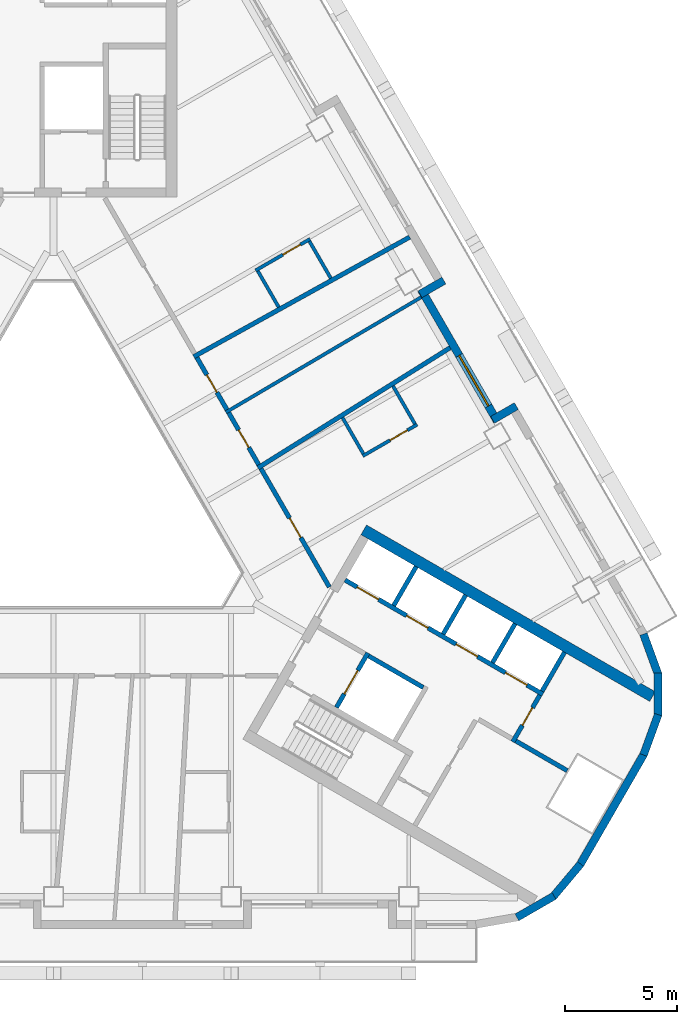
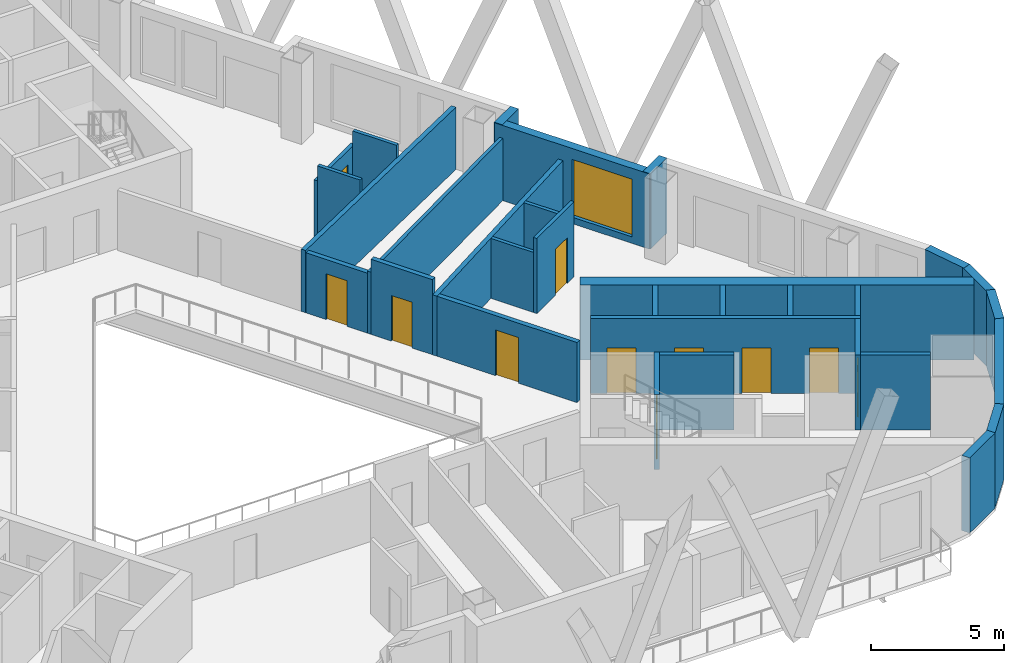
# One storey, part 5 of 13: 31 walls, 11 doors, 1 window, 12 openings.
"""IFC4 building model written with IfcOpenShell, lengths in metres."""

from ifc_helpers import new_model, si_unit, direction, frame, frame_2d, origin, place, context, subcontext, project, spatial, rectangle, extrude, material, layer, layer_set, type_object, element, fill, save


model = new_model("IFC4")

# Units and contexts
model_context = context("Model", 3, precision=1e-05, world=origin(), true_north=direction((0.0, 1.0)))
body_context = subcontext(model_context, "Body", "Model", "MODEL_VIEW")
ifc_project = project(units=[si_unit("LENGTHUNIT", "METRE"), si_unit("AREAUNIT", "SQUARE_METRE"), si_unit("VOLUMEUNIT", "CUBIC_METRE"), si_unit("PLANEANGLEUNIT", "RADIAN"), si_unit("MASSUNIT", "GRAM", prefix="KILO")], contexts=[model_context])

# Site, building, storey
site_placement = place(None, origin())
site = spatial("IfcSite", under=ifc_project, at=site_placement, CompositionType="ELEMENT")
building_placement = place(site_placement, origin())
building = spatial("IfcBuilding", under=site, at=building_placement, Name="Apuvela Tower Hotel", CompositionType="ELEMENT")
storey_placement = place(building_placement, frame((0.0, 0.0, 127.89990234375)))
storey = spatial("IfcBuildingStorey", under=building, at=storey_placement, Name="L30", CompositionType="ELEMENT", Elevation=127.89990234375)

# Wall
ifc_material_1 = material(Name="Concrete C50/60", Category="concrete")
ifc_layer_1 = layer(ifc_material_1, 0.5)
ifc_layer_set_1 = layer_set([ifc_layer_1], Name="COR-WALL-CORE-500")
wall_type_1 = type_object("IfcWallType", Name="COR-WALL-CORE-500", PredefinedType="SHEAR", material=ifc_layer_set_1)
wall_1_placement = place(storey_placement, frame((13.796630859375, -1.9033203125, 0.0), z_axis=(0.0, 0.0, 1.0), x_axis=(0.866025009528, -0.500000682871, 0.0)))
element("IfcWall", 1, at=wall_1_placement, inside=storey, type_object=wall_type_1, Name="Core wall SE", PredefinedType="SHEAR", context=body_context, shape_type="SweptSolid", body=[
    extrude(rectangle(XDim=14.8369140625, YDim=0.5, at=frame_2d((7.41845703125, 0.0))), origin(), (0.0, 0.0, 1.0), 3.4501953125),
])

# Wall, opening, door
ifc_layer_2 = layer(ifc_material_1, 0.199951171875)
ifc_layer_set_2 = layer_set([ifc_layer_2], Name="COR-WALL-SHAFT-200")
wall_type_2 = type_object("IfcWallType", Name="COR-WALL-SHAFT-200", PredefinedType="SHEAR", material=ifc_layer_set_2)
wall_2_placement = place(storey_placement, frame((12.583251953125, -9.805419921875, 0.0), z_axis=(0.0, 0.0, 1.0), x_axis=(0.49994636267, 0.866056369097, 0.0)))
wall_2 = element("IfcWall", 2, at=wall_2_placement, inside=storey, type_object=wall_type_2, Name="Shaft wall SE", PredefinedType="SHEAR", context=body_context, shape_type="SweptSolid", body=[
    extrude(rectangle(XDim=2.800048828125, YDim=0.199951171875, at=frame_2d((1.39990234375, 0.0))), origin(), (0.0, 0.0, 1.0), 3.4501953125),
])
opening_1_placement = place(wall_2_placement, frame((0.699951171875, 0.0, 0.0)))
opening_1 = element("IfcOpeningElement", 3, at=opening_1_placement, cuts=wall_2, Name="Opening E-LD-FS3", PredefinedType="OPENING", context=body_context, shape_type="SweptSolid", body=[
    extrude(rectangle(XDim=1.199951171875, YDim=2.10009765625, at=frame_2d((0.60009765625, 1.050048828125))), frame((0.0, 0.10986328125, 0.0), z_axis=(0.0, -1.0, 0.0), x_axis=(1.0, 0.0, 0.0)), (0.0, 0.0, 1.0), 0.219970703125),
])
ifc_material_2 = material(Name="Stainless steel lift landing door", Category="steel")
door_type_1 = type_object("IfcDoorType", Name="COR-LD-1200", OperationType="DOUBLE_DOOR_SLIDING", PredefinedType="DOOR", material=ifc_material_2)
door_1_placement = place(opening_1_placement, origin())
door_1 = element("IfcDoor", 4, at=door_1_placement, inside=storey, type_object=door_type_1, Name="Lift landing door E-LD-FS3", OperationType="DOUBLE_DOOR_SLIDING", OverallHeight=2.10009765625, OverallWidth=1.199951171875, PredefinedType="DOOR", context=body_context, shape_type="SweptSolid", body=[
    extrude(rectangle(XDim=1.199951171875, YDim=2.10009765625, at=frame_2d((0.60009765625, 1.050048828125))), frame((0.0, 0.02490234375, 0.0), z_axis=(0.0, -1.0, 0.0), x_axis=(1.0, 0.0, 0.0)), (0.0, 0.0, 1.0), 0.050048828125),
])
fill(opening_1, door_1)

# Wall
wall_3_placement = place(storey_placement, frame((14.019775390625, -7.51708984375, 0.0), z_axis=(0.0, 0.0, 1.0), x_axis=(0.866034573852, -0.49998411664, 0.0)))
element("IfcWall", 5, at=wall_3_placement, inside=storey, type_object=wall_type_2, Name="Shaft wall SE", PredefinedType="SHEAR", context=body_context, shape_type="SweptSolid", body=[
    extrude(rectangle(XDim=2.7998046875, YDim=0.199951171875, at=frame_2d((1.39990234375, 0.0))), origin(), (0.0, 0.0, 1.0), 3.4501953125),
])

# Wall, openings, doors
wall_4_placement = place(storey_placement, frame((12.968017578125, -4.138427734375, 0.0), z_axis=(0.0, 0.0, 1.0), x_axis=(0.866028328073, -0.49999493495, 0.0)))
wall_4 = element("IfcWall", 6, at=wall_4_placement, inside=storey, type_object=wall_type_2, Name="Shaft wall SE", PredefinedType="SHEAR", context=body_context, shape_type="SweptSolid", body=[
    extrude(rectangle(XDim=10.16015625, YDim=0.199951171875, at=frame_2d((5.080078125, 0.0))), origin(), (0.0, 0.0, 1.0), 3.4501953125),
])
opening_2_placement = place(wall_4_placement, frame((0.6201171875, 0.0, 0.0)))
opening_2 = element("IfcOpeningElement", 7, at=opening_2_placement, cuts=wall_4, Name="Opening E-LD-LR1", PredefinedType="OPENING", context=body_context, shape_type="SweptSolid", body=[
    extrude(rectangle(XDim=1.10009765625, YDim=2.10009765625, at=frame_2d((0.550048828125, 1.050048828125))), frame((0.0, 0.10986328125, 0.0), z_axis=(0.0, -1.0, 0.0), x_axis=(1.0, 0.0, 0.0)), (0.0, 0.0, 1.0), 0.219970703125),
])
opening_3_placement = place(wall_4_placement, frame((3.159912109375, 0.0, 0.0)))
opening_3 = element("IfcOpeningElement", 8, at=opening_3_placement, cuts=wall_4, Name="Opening E-LD-LR2", PredefinedType="OPENING", context=body_context, shape_type="SweptSolid", body=[
    extrude(rectangle(XDim=1.10009765625, YDim=2.10009765625, at=frame_2d((0.550048828125, 1.050048828125))), frame((0.0, 0.10986328125, 0.0), z_axis=(0.0, -1.0, 0.0), x_axis=(1.0, 0.0, 0.0)), (0.0, 0.0, 1.0), 0.219970703125),
])
opening_4_placement = place(wall_4_placement, frame((5.699951171875, 0.0, 0.0)))
opening_4 = element("IfcOpeningElement", 9, at=opening_4_placement, cuts=wall_4, Name="Opening E-LD-LR3", PredefinedType="OPENING", context=body_context, shape_type="SweptSolid", body=[
    extrude(rectangle(XDim=1.10009765625, YDim=2.10009765625, at=frame_2d((0.550048828125, 1.050048828125))), frame((0.0, 0.10986328125, 0.0), z_axis=(0.0, -1.0, 0.0), x_axis=(1.0, 0.0, 0.0)), (0.0, 0.0, 1.0), 0.219970703125),
])
opening_5_placement = place(wall_4_placement, frame((8.239990234375, 0.0, 0.0)))
opening_5 = element("IfcOpeningElement", 10, at=opening_5_placement, cuts=wall_4, Name="Opening E-LD-LR4", PredefinedType="OPENING", context=body_context, shape_type="SweptSolid", body=[
    extrude(rectangle(XDim=1.10009765625, YDim=2.10009765625, at=frame_2d((0.550048828125, 1.050048828125))), frame((0.0, 0.10986328125, 0.0), z_axis=(0.0, -1.0, 0.0), x_axis=(1.0, 0.0, 0.0)), (0.0, 0.0, 1.0), 0.219970703125),
])
door_type_2 = type_object("IfcDoorType", Name="COR-LD-1100", OperationType="DOUBLE_DOOR_SLIDING", PredefinedType="DOOR", material=ifc_material_2)
door_2_placement = place(opening_2_placement, origin())
door_2 = element("IfcDoor", 11, at=door_2_placement, inside=storey, type_object=door_type_2, Name="Lift landing door E-LD-LR1", OperationType="DOUBLE_DOOR_SLIDING", OverallHeight=2.10009765625, OverallWidth=1.10009765625, PredefinedType="DOOR", context=body_context, shape_type="SweptSolid", body=[
    extrude(rectangle(XDim=1.10009765625, YDim=2.10009765625, at=frame_2d((0.550048828125, 1.050048828125))), frame((0.0, 0.02490234375, 0.0), z_axis=(0.0, -1.0, 0.0), x_axis=(1.0, 0.0, 0.0)), (0.0, 0.0, 1.0), 0.050048828125),
])
fill(opening_2, door_2)
door_3_placement = place(opening_3_placement, origin())
door_3 = element("IfcDoor", 12, at=door_3_placement, inside=storey, type_object=door_type_2, Name="Lift landing door E-LD-LR2", OperationType="DOUBLE_DOOR_SLIDING", OverallHeight=2.10009765625, OverallWidth=1.10009765625, PredefinedType="DOOR", context=body_context, shape_type="SweptSolid", body=[
    extrude(rectangle(XDim=1.10009765625, YDim=2.10009765625, at=frame_2d((0.550048828125, 1.050048828125))), frame((0.0, 0.02490234375, 0.0), z_axis=(0.0, -1.0, 0.0), x_axis=(1.0, 0.0, 0.0)), (0.0, 0.0, 1.0), 0.050048828125),
])
fill(opening_3, door_3)
door_4_placement = place(opening_4_placement, origin())
door_4 = element("IfcDoor", 13, at=door_4_placement, inside=storey, type_object=door_type_2, Name="Lift landing door E-LD-LR3", OperationType="DOUBLE_DOOR_SLIDING", OverallHeight=2.10009765625, OverallWidth=1.10009765625, PredefinedType="DOOR", context=body_context, shape_type="SweptSolid", body=[
    extrude(rectangle(XDim=1.10009765625, YDim=2.10009765625, at=frame_2d((0.550048828125, 1.050048828125))), frame((0.0, 0.02490234375, 0.0), z_axis=(0.0, -1.0, 0.0), x_axis=(1.0, 0.0, 0.0)), (0.0, 0.0, 1.0), 0.050048828125),
])
fill(opening_4, door_4)
door_5_placement = place(opening_5_placement, origin())
door_5 = element("IfcDoor", 14, at=door_5_placement, inside=storey, type_object=door_type_2, Name="Lift landing door E-LD-LR4", OperationType="DOUBLE_DOOR_SLIDING", OverallHeight=2.10009765625, OverallWidth=1.10009765625, PredefinedType="DOOR", context=body_context, shape_type="SweptSolid", body=[
    extrude(rectangle(XDim=1.10009765625, YDim=2.10009765625, at=frame_2d((0.550048828125, 1.050048828125))), frame((0.0, 0.02490234375, 0.0), z_axis=(0.0, -1.0, 0.0), x_axis=(1.0, 0.0, 0.0)), (0.0, 0.0, 1.0), 0.050048828125),
])
fill(opening_5, door_5)

# Wall, opening, door
wall_5_placement = place(storey_placement, frame((20.430419921875, -11.33349609375, 0.0), z_axis=(0.0, 0.0, 1.0), x_axis=(0.500001309137, 0.866024647952, 0.0)))
wall_5 = element("IfcWall", 15, at=wall_5_placement, inside=storey, type_object=wall_type_2, Name="Shaft wall SE", PredefinedType="SHEAR", context=body_context, shape_type="SweptSolid", body=[
    extrude(rectangle(XDim=2.39990234375, YDim=0.199951171875, at=frame_2d((1.199951171875, 0.0))), origin(), (0.0, 0.0, 1.0), 3.4501953125),
])
opening_6_placement = place(wall_5_placement, frame((0.85009765625, 0.0, 0.0)))
opening_6 = element("IfcOpeningElement", 16, at=opening_6_placement, cuts=wall_5, Name="Opening E-REP", PredefinedType="OPENING", context=body_context, shape_type="SweptSolid", body=[
    extrude(rectangle(XDim=0.89990234375, YDim=2.10009765625, at=frame_2d((0.449951171875, 1.050048828125))), frame((0.0, 0.10986328125, 0.0), z_axis=(0.0, -1.0, 0.0), x_axis=(1.0, 0.0, 0.0)), (0.0, 0.0, 1.0), 0.219970703125),
])
ifc_material_3 = material(Name="Steel fire door, powder coated", Category="steel")
door_type_3 = type_object("IfcDoorType", Name="COR-DR-900", OperationType="NOTDEFINED", PredefinedType="DOOR", material=ifc_material_3)
door_6_placement = place(opening_6_placement, frame((0.89990234375, 0.0, 0.0), z_axis=(0.0, 0.0, 1.0), x_axis=(-1.0, 0.0, 0.0)))
door_6 = element("IfcDoor", 17, at=door_6_placement, inside=storey, type_object=door_type_3, Name="Store door E-REP", OperationType="SINGLE_SWING_RIGHT", OverallHeight=2.10009765625, OverallWidth=0.89990234375, PredefinedType="DOOR", context=body_context, shape_type="SweptSolid", body=[
    extrude(rectangle(XDim=0.89990234375, YDim=2.10009765625, at=frame_2d((0.449951171875, 1.050048828125))), frame((0.0, 0.02490234375, 0.0), z_axis=(0.0, -1.0, 0.0), x_axis=(1.0, 0.0, 0.0)), (0.0, 0.0, 1.0), 0.050048828125),
])
fill(opening_6, door_6)

# Walls
for number, where, z_axis, x_axis, name in (
    (18, (15.131103515625, -5.27197265625, 0.0), (0.0, 0.0, 1.0), (0.499972520799, 0.866041268327, 0.0), "Shaft wall SE"),
    (19, (17.330810546875, -6.5419921875, 0.0), (0.0, 0.0, 1.0), (0.499972520799, 0.866041268327, 0.0), "Shaft wall SE"),
    (20, (19.530517578125, -7.81201171875, 0.0), (0.0, 0.0, 1.0), (0.499972520799, 0.866041268327, 0.0), "Shaft wall SE"),
    (21, (21.73046875, -9.081787109375, 0.0), (0.0, 0.0, 1.0), (0.50002537861, 0.866010750942, 0.0), "Shaft wall SE"),
):
    element("IfcWall", number, at=place(storey_placement, frame(where, z_axis=z_axis, x_axis=x_axis)), inside=storey, type_object=wall_type_2, Name=name, PredefinedType="SHEAR", context=body_context, shape_type="SweptSolid", body=[
        extrude(rectangle(XDim=2.0, YDim=0.199951171875, at=frame_2d((1.0, 0.0))), origin(), (0.0, 0.0, 1.0), 3.4501953125),
    ])
wall_6_placement = place(storey_placement, frame((20.56689453125, -11.297119140625, 0.0), z_axis=(0.0, 0.0, 1.0), x_axis=(0.866060851709, -0.499938597367, 0.0)))
element("IfcWall", 22, at=wall_6_placement, inside=storey, type_object=wall_type_2, Name="Shaft wall SE", PredefinedType="SHEAR", context=body_context, shape_type="SweptSolid", body=[
    extrude(rectangle(XDim=2.639892578125, YDim=0.199951171875, at=frame_2d((1.31982421875, 0.0))), origin(), (0.0, 0.0, 1.0), 3.4501953125),
])
ifc_material_4 = material(Name="Concrete C40/50, dark pigmented precast panel", Category="concrete")
ifc_layer_3 = layer(ifc_material_4, 0.35009765625)
ifc_layer_set_3 = layer_set([ifc_layer_3], Name="ENV-WALL-350")
wall_type_3 = type_object("IfcWallType", Name="ENV-WALL-350", PredefinedType="SOLIDWALL", material=ifc_layer_set_3)
for number, where, z_axis, x_axis, name in (
    (23, (20.609619140625, -19.146728515625, 0.0), (0.0, 0.0, 1.0), (0.866000389056, 0.500043324278, 0.0), "External wall L30-27"),
    (24, (22.21728515625, -18.230712890625, 0.0), (0.0, 0.0, 1.0), (0.642733291068, 0.76609001857, 0.0), "External wall L30-28"),
):
    element("IfcWall", number, at=place(storey_placement, frame(where, z_axis=z_axis, x_axis=x_axis)), inside=storey, type_object=wall_type_3, Name=name, PredefinedType="SOLIDWALL", context=body_context, shape_type="SweptSolid", body=[
        extrude(rectangle(XDim=1.909912109375, YDim=0.35009765625, at=frame_2d((0.955078125, 0.0))), origin(), (0.0, 0.0, 1.0), 3.4501953125),
    ])
wall_7_placement = place(storey_placement, frame((23.427490234375, -16.79248046875, 0.0), z_axis=(0.0, 0.0, 1.0), x_axis=(0.500018773155, 0.866014564827, 0.0)))
element("IfcWall", 25, at=wall_7_placement, inside=storey, type_object=wall_type_3, Name="External wall L30-29", PredefinedType="SOLIDWALL", context=body_context, shape_type="SweptSolid", body=[
    extrude(rectangle(XDim=5.657958984375, YDim=0.35009765625, at=frame_2d((2.8291015625, 0.0))), origin(), (0.0, 0.0, 1.0), 3.4501953125),
])
for number, where, z_axis, x_axis, name in (
    (26, (26.24365234375, -11.920166015625, 0.0), (0.0, 0.0, 1.0), (0.342030395486, 0.939688889242, 0.0), "External wall L30-30"),
    (27, (26.88623046875, -10.18505859375, 0.0), (0.0, 0.0, 1.0), (0.0, 1.0, 0.0), "External wall L30-31"),
    (28, (26.89697265625, -8.334716796875, 0.0), (0.0, 0.0, 1.0), (-0.342030395486, 0.939688889242, 0.0), "External wall L30-32"),
):
    element("IfcWall", number, at=place(storey_placement, frame(where, z_axis=z_axis, x_axis=x_axis)), inside=storey, type_object=wall_type_3, Name=name, PredefinedType="SOLIDWALL", context=body_context, shape_type="SweptSolid", body=[
        extrude(rectangle(XDim=1.91015625, YDim=0.35009765625, at=frame_2d((0.955078125, 0.0))), origin(), (0.0, 0.0, 1.0), 3.4501953125),
    ])
wall_8_placement = place(storey_placement, frame((20.587646484375, 3.601318359375, 0.0), z_axis=(0.0, 0.0, 1.0), x_axis=(-0.866005645448, -0.500034220881, 0.0)))
element("IfcWall", 29, at=wall_8_placement, inside=storey, type_object=wall_type_3, Name="External wall L30-34", PredefinedType="SOLIDWALL", context=body_context, shape_type="SweptSolid", body=[
    extrude(rectangle(XDim=1.22021484375, YDim=0.35009765625, at=frame_2d((0.610107421875, 0.0))), origin(), (0.0, 0.0, 1.0), 3.4501953125),
])

# Wall, opening, window
wall_9_placement = place(storey_placement, frame((19.72900390625, 2.93798828125, 0.0), z_axis=(0.0, 0.0, 1.0), x_axis=(-0.499976430342, 0.866039011305, 0.0)))
wall_9 = element("IfcWall", 30, at=wall_9_placement, inside=storey, type_object=wall_type_3, Name="External wall L30-35", PredefinedType="SOLIDWALL", context=body_context, shape_type="SweptSolid", body=[
    extrude(rectangle(XDim=6.739990234375, YDim=0.35009765625, at=frame_2d((3.3701171875, 0.0))), origin(), (0.0, 0.0, 1.0), 3.4501953125),
])
opening_7_placement = place(wall_9_placement, frame((0.77001953125, 0.0, 0.300048828125)))
opening_7 = element("IfcOpeningElement", 31, at=opening_7_placement, cuts=wall_9, Name="Opening WN26", PredefinedType="OPENING", context=body_context, shape_type="SweptSolid", body=[
    extrude(rectangle(XDim=2.60009765625, YDim=2.64990234375, at=frame_2d((1.300048828125, 1.324951171875))), frame((0.0, 0.18505859375, 0.0), z_axis=(0.0, -1.0, 0.0), x_axis=(1.0, 0.0, 0.0)), (0.0, 0.0, 1.0), 0.3701171875),
])
ifc_material_5 = material(Name="Glass, dark tinted laminated insulated glazing unit", Category="glass")
window_type = type_object("IfcWindowType", Name="ENV-WIN-2600x2650", PartitioningType="SINGLE_PANEL", PredefinedType="WINDOW", material=ifc_material_5)
window_placement = place(opening_7_placement, origin())
window = element("IfcWindow", 32, at=window_placement, inside=storey, type_object=window_type, Name="Window WN26", OverallHeight=2.64990234375, OverallWidth=2.60009765625, PartitioningType="SINGLE_PANEL", PredefinedType="WINDOW", context=body_context, shape_type="SweptSolid", body=[
    extrude(rectangle(XDim=2.60009765625, YDim=2.64990234375, at=frame_2d((1.300048828125, 1.324951171875))), frame((0.0, 0.030029296875, 0.0), z_axis=(0.0, -1.0, 0.0), x_axis=(1.0, 0.0, 0.0)), (0.0, 0.0, 1.0), 0.06005859375),
])
fill(opening_7, window)

# Walls
wall_10_placement = place(storey_placement, frame((16.305908203125, 8.5771484375, 0.0), z_axis=(0.0, 0.0, 1.0), x_axis=(0.866092288191, 0.499884134912, 0.0)))
element("IfcWall", 33, at=wall_10_placement, inside=storey, type_object=wall_type_3, Name="External wall L30-36", PredefinedType="SOLIDWALL", context=body_context, shape_type="SweptSolid", body=[
    extrude(rectangle(XDim=1.219970703125, YDim=0.35009765625, at=frame_2d((0.60986328125, 0.0))), origin(), (0.0, 0.0, 1.0), 3.4501953125),
])
ifc_material_6 = material(Name="Gypsum board partition on twin steel stud", Category="steel")
ifc_layer_4 = layer(ifc_material_6, 0.199951171875)
ifc_layer_set_4 = layer_set([ifc_layer_4], Name="GST-PW1")
wall_type_4 = type_object("IfcWallType", Name="GST-PW1", PredefinedType="PARTITIONING", material=ifc_layer_set_4)
wall_11_placement = place(storey_placement, frame((17.643310546875, 6.20068359375, 0.0), z_axis=(0.0, 0.0, 1.0), x_axis=(-0.84787317287, -0.530199097252, 0.0)))
element("IfcWall", 34, at=wall_11_placement, inside=storey, type_object=wall_type_4, Name="L30 partition 03", PredefinedType="PARTITIONING", context=body_context, shape_type="SweptSolid", body=[
    extrude(rectangle(XDim=10.086181640625, YDim=0.199951171875, at=frame_2d((5.04296875, 0.0))), origin(), (0.0, 0.0, 1.0), 2.760009765625),
])
wall_12_placement = place(storey_placement, frame((15.842041015625, 11.120849609375, 0.0), z_axis=(0.0, 0.0, 1.0), x_axis=(-0.87471248602, -0.484642204931, 0.0)))
element("IfcWall", 35, at=wall_12_placement, inside=storey, type_object=wall_type_4, Name="L30 partition 04", PredefinedType="PARTITIONING", context=body_context, shape_type="SweptSolid", body=[
    extrude(rectangle(XDim=10.98193359375, YDim=0.199951171875, at=frame_2d((5.490966796875, 0.0))), origin(), (0.0, 0.0, 1.0), 2.860107421875),
])

# Wall, opening, door
ifc_material_7 = material(Name="Gypsum board corridor wall on twin steel stud, acoustic", Category="steel")
ifc_layer_5 = layer(ifc_material_7, 0.199951171875)
ifc_layer_set_5 = layer_set([ifc_layer_5], Name="GST-PW2")
wall_type_5 = type_object("IfcWallType", Name="GST-PW2", PredefinedType="PARTITIONING", material=ifc_layer_set_5)
wall_13_placement = place(storey_placement, frame((9.226318359375, 0.8193359375, 0.0), z_axis=(0.0, 0.0, 1.0), x_axis=(0.500031571837, -0.866007175009, 0.0)))
wall_13 = element("IfcWall", 36, at=wall_13_placement, inside=storey, type_object=wall_type_5, Name="L30 partition 18", PredefinedType="PARTITIONING", context=body_context, shape_type="SweptSolid", body=[
    extrude(rectangle(XDim=6.08447265625, YDim=0.199951171875, at=frame_2d((3.042236328125, 0.0))), origin(), (0.0, 0.0, 1.0), 2.760009765625),
])
opening_8_placement = place(wall_13_placement, frame((2.542236328125, 0.0, 0.0)))
opening_8 = element("IfcOpeningElement", 37, at=opening_8_placement, cuts=wall_13, Name="Opening GD11-08", PredefinedType="OPENING", context=body_context, shape_type="SweptSolid", body=[
    extrude(rectangle(XDim=1.0, YDim=2.10009765625, at=frame_2d((0.5, 1.050048828125))), frame((0.0, 0.10986328125, 0.0), z_axis=(0.0, -1.0, 0.0), x_axis=(1.0, 0.0, 0.0)), (0.0, 0.0, 1.0), 0.219970703125),
])
ifc_material_8 = material(Name="Timber door leaf in steel frame", Category="steel")
door_type_4 = type_object("IfcDoorType", Name="GST-D1", OperationType="NOTDEFINED", PredefinedType="DOOR", material=ifc_material_8)
door_7_placement = place(opening_8_placement, origin())
door_7 = element("IfcDoor", 38, at=door_7_placement, inside=storey, type_object=door_type_4, Name="Door L30-08", OperationType="SINGLE_SWING_LEFT", OverallHeight=2.10009765625, OverallWidth=1.0, PredefinedType="DOOR", context=body_context, shape_type="SweptSolid", body=[
    extrude(rectangle(XDim=1.0, YDim=2.10009765625, at=frame_2d((0.5, 1.050048828125))), frame((0.0, 0.02490234375, 0.0), z_axis=(0.0, -1.0, 0.0), x_axis=(1.0, 0.0, 0.0)), (0.0, 0.0, 1.0), 0.050048828125),
])
fill(opening_8, door_7)

wall_14_placement = place(storey_placement, frame((7.78759765625, 3.3115234375, 0.0), z_axis=(0.0, 0.0, 1.0), x_axis=(0.499953984692, -0.866051969105, 0.0)))
wall_14 = element("IfcWall", 39, at=wall_14_placement, inside=storey, type_object=wall_type_5, Name="L30 partition 23", PredefinedType="PARTITIONING", context=body_context, shape_type="SweptSolid", body=[
    extrude(rectangle(XDim=2.677490234375, YDim=0.199951171875, at=frame_2d((1.3388671875, 0.0))), origin(), (0.0, 0.0, 1.0), 3.4501953125),
])
opening_9_placement = place(wall_14_placement, frame((0.888916015625, 0.0, 0.0)))
opening_9 = element("IfcOpeningElement", 40, at=opening_9_placement, cuts=wall_14, Name="Opening GD11-09", PredefinedType="OPENING", context=body_context, shape_type="SweptSolid", body=[
    extrude(rectangle(XDim=0.89990234375, YDim=2.10009765625, at=frame_2d((0.449951171875, 1.050048828125))), frame((0.0, 0.10986328125, 0.0), z_axis=(0.0, -1.0, 0.0), x_axis=(1.0, 0.0, 0.0)), (0.0, 0.0, 1.0), 0.219970703125),
])
door_type_5 = type_object("IfcDoorType", Name="GST-D2", OperationType="NOTDEFINED", PredefinedType="DOOR", material=ifc_material_8)
door_8_placement = place(opening_9_placement, origin())
door_8 = element("IfcDoor", 41, at=door_8_placement, inside=storey, type_object=door_type_5, Name="Door L30-09", OperationType="SINGLE_SWING_LEFT", OverallHeight=2.10009765625, OverallWidth=0.89990234375, PredefinedType="DOOR", context=body_context, shape_type="SweptSolid", body=[
    extrude(rectangle(XDim=0.89990234375, YDim=2.10009765625, at=frame_2d((0.449951171875, 1.050048828125))), frame((0.0, 0.02490234375, 0.0), z_axis=(0.0, -1.0, 0.0), x_axis=(1.0, 0.0, 0.0)), (0.0, 0.0, 1.0), 0.050048828125),
])
fill(opening_9, door_8)

wall_15_placement = place(storey_placement, frame((6.373779296875, 5.760498046875, 0.0), z_axis=(0.0, 0.0, 1.0), x_axis=(0.499982891145, -0.866035281361, 0.0)))
wall_15 = element("IfcWall", 42, at=wall_15_placement, inside=storey, type_object=wall_type_5, Name="L30 partition 24", PredefinedType="PARTITIONING", context=body_context, shape_type="SweptSolid", body=[
    extrude(rectangle(XDim=2.677734375, YDim=0.199951171875, at=frame_2d((1.3388671875, 0.0))), origin(), (0.0, 0.0, 1.0), 2.760009765625),
])
opening_10_placement = place(wall_15_placement, frame((0.888916015625, 0.0, 0.0)))
opening_10 = element("IfcOpeningElement", 43, at=opening_10_placement, cuts=wall_15, Name="Opening GD11-10", PredefinedType="OPENING", context=body_context, shape_type="SweptSolid", body=[
    extrude(rectangle(XDim=0.89990234375, YDim=2.10009765625, at=frame_2d((0.449951171875, 1.050048828125))), frame((0.0, 0.10986328125, 0.0), z_axis=(0.0, -1.0, 0.0), x_axis=(1.0, 0.0, 0.0)), (0.0, 0.0, 1.0), 0.219970703125),
])
door_9_placement = place(opening_10_placement, origin())
door_9 = element("IfcDoor", 44, at=door_9_placement, inside=storey, type_object=door_type_5, Name="Door L30-10", OperationType="SINGLE_SWING_RIGHT", OverallHeight=2.10009765625, OverallWidth=0.89990234375, PredefinedType="DOOR", context=body_context, shape_type="SweptSolid", body=[
    extrude(rectangle(XDim=0.89990234375, YDim=2.10009765625, at=frame_2d((0.449951171875, 1.050048828125))), frame((0.0, 0.02490234375, 0.0), z_axis=(0.0, -1.0, 0.0), x_axis=(1.0, 0.0, 0.0)), (0.0, 0.0, 1.0), 0.050048828125),
])
fill(opening_10, door_9)

ifc_material_9 = material(Name="Moisture-resistant gypsum board wet wall on steel stud", Category="steel")
ifc_layer_6 = layer(ifc_material_9, 0.14990234375)
ifc_layer_set_6 = layer_set([ifc_layer_6], Name="GST-PW3")
wall_type_6 = type_object("IfcWallType", Name="GST-PW3", PredefinedType="PARTITIONING", material=ifc_layer_set_6)
wall_16_placement = place(storey_placement, frame((13.752197265625, 1.380615234375, 0.0), z_axis=(0.0, 0.0, 1.0), x_axis=(0.866034573852, 0.49998411664, 0.0)))
wall_16 = element("IfcWall", 45, at=wall_16_placement, inside=storey, type_object=wall_type_6, Name="L30 partition 19", PredefinedType="PARTITIONING", context=body_context, shape_type="SweptSolid", body=[
    extrude(rectangle(XDim=2.7998046875, YDim=0.14990234375, at=frame_2d((1.39990234375, 0.0))), origin(), (0.0, 0.0, 1.0), 3.4501953125),
])
opening_11_placement = place(wall_16_placement, frame((1.39990234375, 0.0, 0.0)))
opening_11 = element("IfcOpeningElement", 46, at=opening_11_placement, cuts=wall_16, Name="Opening GD11-07", PredefinedType="OPENING", context=body_context, shape_type="SweptSolid", body=[
    extrude(rectangle(XDim=0.89990234375, YDim=2.10009765625, at=frame_2d((0.449951171875, 1.050048828125))), frame((0.0, 0.0849609375, 0.0), z_axis=(0.0, -1.0, 0.0), x_axis=(1.0, 0.0, 0.0)), (0.0, 0.0, 1.0), 0.169921875),
])
door_10_placement = place(opening_11_placement, origin())
door_10 = element("IfcDoor", 47, at=door_10_placement, inside=storey, type_object=door_type_5, Name="Door L30-07", OperationType="SINGLE_SWING_RIGHT", OverallHeight=2.10009765625, OverallWidth=0.89990234375, PredefinedType="DOOR", context=body_context, shape_type="SweptSolid", body=[
    extrude(rectangle(XDim=0.89990234375, YDim=2.10009765625, at=frame_2d((0.449951171875, 1.050048828125))), frame((0.0, 0.02490234375, 0.0), z_axis=(0.0, -1.0, 0.0), x_axis=(1.0, 0.0, 0.0)), (0.0, 0.0, 1.0), 0.050048828125),
])
fill(opening_11, door_10)

# Walls
wall_17_placement = place(storey_placement, frame((16.07470703125, 2.80810546875, 0.0), z_axis=(0.0, 0.0, 1.0), x_axis=(-0.500051850797, 0.865995465643, 0.0)))
element("IfcWall", 48, at=wall_17_placement, inside=storey, type_object=wall_type_6, Name="L30 partition 20", PredefinedType="PARTITIONING", context=body_context, shape_type="SweptSolid", body=[
    extrude(rectangle(XDim=1.946044921875, YDim=0.14990234375, at=frame_2d((0.97314453125, 0.0))), origin(), (0.0, 0.0, 1.0), 2.760009765625),
])
wall_18_placement = place(storey_placement, frame((13.779541015625, 1.48291015625, 0.0), z_axis=(0.0, 0.0, 1.0), x_axis=(-0.499965806267, 0.866045144646, 0.0)))
element("IfcWall", 49, at=wall_18_placement, inside=storey, type_object=wall_type_6, Name="L30 partition 21", PredefinedType="PARTITIONING", context=body_context, shape_type="SweptSolid", body=[
    extrude(rectangle(XDim=1.852783203125, YDim=0.14990234375, at=frame_2d((0.92626953125, 0.0))), origin(), (0.0, 0.0, 1.0), 2.760009765625),
])
wall_19_placement = place(storey_placement, frame((16.34912109375, 8.442626953125, 0.0), z_axis=(0.0, 0.0, 1.0), x_axis=(-0.861589721102, -0.507605311724, 0.0)))
element("IfcWall", 50, at=wall_19_placement, inside=storey, type_object=wall_type_6, Name="L30 partition 22", PredefinedType="PARTITIONING", context=body_context, shape_type="SweptSolid", body=[
    extrude(rectangle(XDim=10.08056640625, YDim=0.14990234375, at=frame_2d((5.040283203125, 0.0))), origin(), (0.0, 0.0, 1.0), 2.860107421875),
])

# Wall, opening, door
wall_20_placement = place(storey_placement, frame((11.410400390625, 11.03662109375, 0.0), z_axis=(0.0, 0.0, 1.0), x_axis=(-0.866034573852, -0.49998411664, 0.0)))
wall_20 = element("IfcWall", 51, at=wall_20_placement, inside=storey, type_object=wall_type_6, Name="L30 partition 26", PredefinedType="PARTITIONING", context=body_context, shape_type="SweptSolid", body=[
    extrude(rectangle(XDim=2.7998046875, YDim=0.14990234375, at=frame_2d((1.39990234375, 0.0))), origin(), (0.0, 0.0, 1.0), 2.760009765625),
])
opening_12_placement = place(wall_20_placement, frame((0.5, 0.0, 0.0)))
opening_12 = element("IfcOpeningElement", 52, at=opening_12_placement, cuts=wall_20, Name="Opening GD11-11", PredefinedType="OPENING", context=body_context, shape_type="SweptSolid", body=[
    extrude(rectangle(XDim=0.89990234375, YDim=2.10009765625, at=frame_2d((0.449951171875, 1.050048828125))), frame((0.0, 0.0849609375, 0.0), z_axis=(0.0, -1.0, 0.0), x_axis=(1.0, 0.0, 0.0)), (0.0, 0.0, 1.0), 0.169921875),
])
door_11_placement = place(opening_12_placement, origin())
door_11 = element("IfcDoor", 53, at=door_11_placement, inside=storey, type_object=door_type_5, Name="Door L30-11", OperationType="SINGLE_SWING_LEFT", OverallHeight=2.10009765625, OverallWidth=0.89990234375, PredefinedType="DOOR", context=body_context, shape_type="SweptSolid", body=[
    extrude(rectangle(XDim=0.89990234375, YDim=2.10009765625, at=frame_2d((0.449951171875, 1.050048828125))), frame((0.0, 0.02490234375, 0.0), z_axis=(0.0, -1.0, 0.0), x_axis=(1.0, 0.0, 0.0)), (0.0, 0.0, 1.0), 0.050048828125),
])
fill(opening_12, door_11)

# Walls
wall_21_placement = place(storey_placement, frame((12.33203125, 9.290283203125, 0.0), z_axis=(0.0, 0.0, 1.0), x_axis=(-0.499971120268, 0.866042076863, 0.0)))
element("IfcWall", 54, at=wall_21_placement, inside=storey, type_object=wall_type_6, Name="L30 partition 27", PredefinedType="PARTITIONING", context=body_context, shape_type="SweptSolid", body=[
    extrude(rectangle(XDim=1.89794921875, YDim=0.14990234375, at=frame_2d((0.948974609375, 0.0))), origin(), (0.0, 0.0, 1.0), 3.4501953125),
])
wall_22_placement = place(storey_placement, frame((10.013671875, 8.005859375, 0.0), z_axis=(0.0, 0.0, 1.0), x_axis=(-0.500053484023, 0.865994522568, 0.0)))
element("IfcWall", 55, at=wall_22_placement, inside=storey, type_object=wall_type_6, Name="L30 partition 28", PredefinedType="PARTITIONING", context=body_context, shape_type="SweptSolid", body=[
    extrude(rectangle(XDim=1.851318359375, YDim=0.14990234375, at=frame_2d((0.92578125, 0.0))), origin(), (0.0, 0.0, 1.0), 3.4501953125),
])

save(model, "model.ifc")
